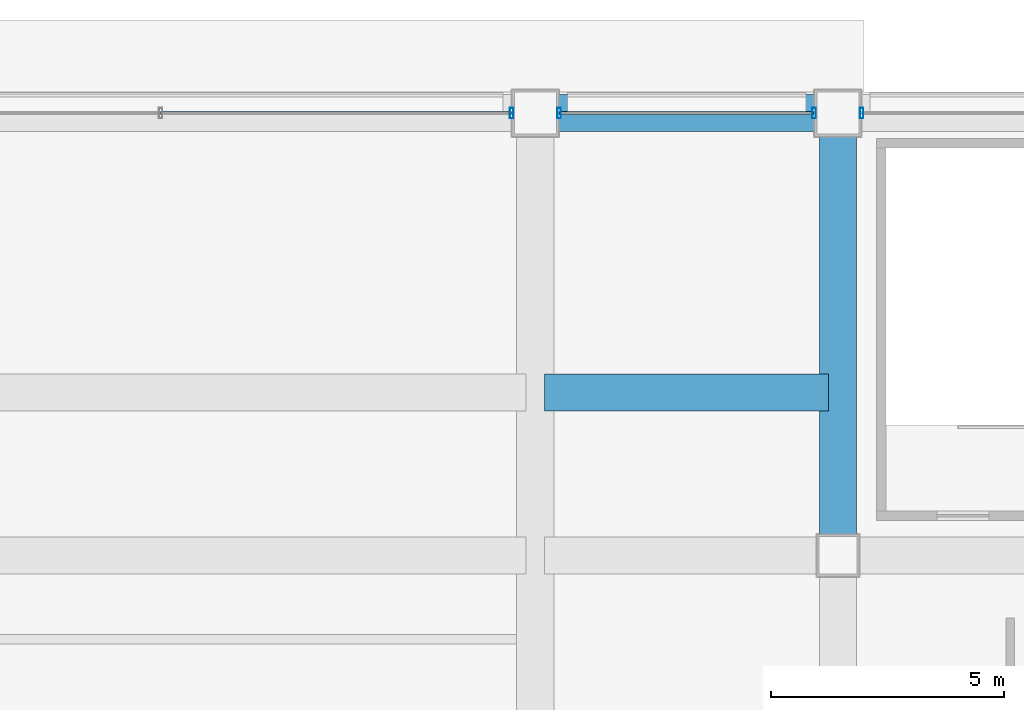
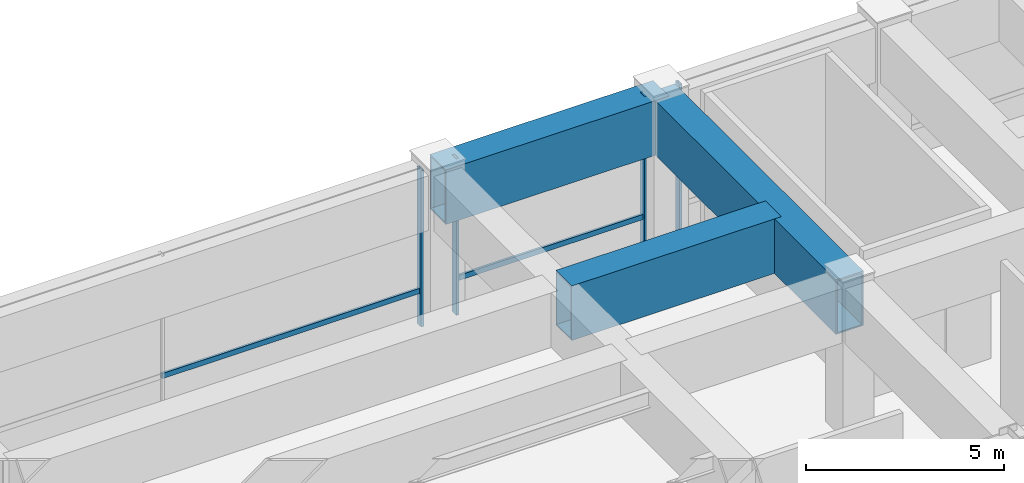
# One storey, part 22 of 30: 6 members, 3 beams, 3 elements without a shape of their own.
"""IFC4 building model written with IfcOpenShell, lengths in metres."""

from ifc_helpers import new_model, si_unit, direction, frame, origin, origin_2d, place, context, subcontext, project, spatial, hollow_rectangle, extrude, material, layer, layer_set, material_profile, profile_set, type_object, element, aggregate, save


model = new_model("IFC4")

# Units and contexts
model_context = context("Model", 3, precision=1e-05, world=origin(), true_north=direction((0.0, 1.0)))
body_context = subcontext(model_context, "Body", "Model", "MODEL_VIEW")
ifc_project = project(units=[si_unit("LENGTHUNIT", "METRE"), si_unit("AREAUNIT", "SQUARE_METRE"), si_unit("VOLUMEUNIT", "CUBIC_METRE"), si_unit("PLANEANGLEUNIT", "RADIAN"), si_unit("MASSUNIT", "GRAM", prefix="KILO")], contexts=[model_context])

# Site, building, storey
site_placement = place(None, origin())
site = spatial("IfcSite", under=ifc_project, at=site_placement, CompositionType="ELEMENT")
building_placement = place(site_placement, origin())
building = spatial("IfcBuilding", under=site, at=building_placement, Name="Brelmoor Portico Tower", CompositionType="ELEMENT")
storey_placement = place(building_placement, frame((0.0, 0.0, 19.199951171875)))
storey = spatial("IfcBuildingStorey", under=building, at=storey_placement, Name="L04", CompositionType="ELEMENT", Elevation=19.199951171875)

# Beams
ifc_material_1 = material(Name="Steel Q355B", Category="steel")
ifc_material_profile_1 = material_profile(ifc_material_1, hollow_rectangle(XDim=0.800048828125, YDim=1.679931640625, WallThickness=0.044921875, at=origin_2d()), Name="BOX 800x1680x45")
ifc_profile_set_1 = profile_set([ifc_material_profile_1], Name="Steel Q355B")
beam_type = type_object("IfcBeamType", Name="BM-TG-Z1", PredefinedType="BEAM", material=ifc_profile_set_1)
beam_1_placement = place(storey_placement, frame((8.050048828125, 27.550048828125, 3.760009765625), z_axis=(1.0, 0.0, 0.0), x_axis=(0.0, 1.0, 0.0)))
element("IfcBeam", 1, at=beam_1_placement, inside=storey, type_object=beam_type, Name="L04 Perimeter Transfer Beam SP-12", PredefinedType="BEAM", context=body_context, shape_type="SweptSolid", body=[
    extrude(hollow_rectangle(XDim=0.800048828125, YDim=1.679931640625, WallThickness=0.044921875, at=origin_2d()), origin(), (0.0, 0.0, 1.0), 6.5),
])
beam_2_placement = place(storey_placement, frame((14.550048828125, 18.050048828125, 3.760009765625), z_axis=(0.0, 1.0, 0.0), x_axis=(-1.0, 0.0, 0.0)))
element("IfcBeam", 2, at=beam_2_placement, inside=storey, type_object=beam_type, Name="L04 Setback Transfer Girder PG-18", PredefinedType="BEAM", context=body_context, shape_type="SweptSolid", body=[
    extrude(hollow_rectangle(XDim=0.800048828125, YDim=1.679931640625, WallThickness=0.044921875, at=origin_2d()), origin(), (0.0, 0.0, 1.0), 9.5),
])
beam_3_placement = place(storey_placement, frame((8.25, 21.550048828125, 3.760009765625), z_axis=(1.0, 0.0, 0.0), x_axis=(0.0, 1.0, 0.0)))
element("IfcBeam", 3, at=beam_3_placement, inside=storey, type_object=beam_type, Name="L04 Setback Transfer Girder TGN-11", PredefinedType="BEAM", context=body_context, shape_type="SweptSolid", body=[
    extrude(hollow_rectangle(XDim=0.800048828125, YDim=1.679931640625, WallThickness=0.044921875, at=origin_2d()), origin(), (0.0, 0.0, 1.0), 6.10009765625),
])

# Curtain wall, member
ifc_material_2 = material(Name="Anodised Aluminium Alloy 6063-T6", Category="aluminium")
ifc_layer = layer(ifc_material_2, 0.179931640625)
ifc_layer_set = layer_set([ifc_layer], Name="Anodised Aluminium Alloy 6063-T6")
curtain_wall_type = type_object("IfcCurtainWallType", Name="CW-PODIUM-ARCH", PredefinedType="NOTDEFINED", material=ifc_layer_set)
curtain_wall_1_placement = place(storey_placement, origin())
curtain_wall_1 = element("IfcCurtainWall", 4, at=curtain_wall_1_placement, inside=storey, type_object=curtain_wall_type, Name="L04 Curtain Wall CW-L04-02-4", PredefinedType="NOTDEFINED")
ifc_material_profile_2 = material_profile(ifc_material_2, hollow_rectangle(XDim=0.074951171875, YDim=0.219970703125, WallThickness=0.0048828125, at=origin_2d()), Name="ALU MULLION 75x220")
ifc_profile_set_2 = profile_set([ifc_material_profile_2], Name="Anodised Aluminium Alloy 6063-T6")
member_type_1 = type_object("IfcMemberType", Name="MB-CW-MULL-220", PredefinedType="MULLION", material=ifc_profile_set_2)
member_1_placement = place(storey_placement, frame((7.5400390625, 27.550048828125, -0.219970703125), z_axis=(0.0, 0.0, 1.0), x_axis=(1.0, 0.0, 0.0)))
member_1 = element("IfcMember", 5, at=member_1_placement, type_object=member_type_1, Name="CW-L04-02-4 Mullion 02", PredefinedType="MULLION", context=body_context, shape_type="SweptSolid", body=[
    extrude(hollow_rectangle(XDim=0.074951171875, YDim=0.219970703125, WallThickness=0.0048828125, at=origin_2d()), origin(), (0.0, 0.0, 1.0), 4.820068359375),
])

# Curtain wall, members
curtain_wall_2_placement = place(storey_placement, origin())
curtain_wall_2 = element("IfcCurtainWall", 6, at=curtain_wall_2_placement, inside=storey, type_object=curtain_wall_type, Name="L04 Curtain Wall CW-L04-02-5", PredefinedType="NOTDEFINED")
member_2_placement = place(storey_placement, frame((8.56005859375, 27.550048828125, -0.219970703125), z_axis=(0.0, 0.0, 1.0), x_axis=(1.0, 0.0, 0.0)))
member_2 = element("IfcMember", 7, at=member_2_placement, type_object=member_type_1, Name="CW-L04-02-5 Mullion 00", PredefinedType="MULLION", context=body_context, shape_type="SweptSolid", body=[
    extrude(hollow_rectangle(XDim=0.074951171875, YDim=0.219970703125, WallThickness=0.0048828125, at=origin_2d()), origin(), (0.0, 0.0, 1.0), 4.820068359375),
])
member_3_placement = place(storey_placement, frame((14.0400390625, 27.550048828125, -0.219970703125), z_axis=(0.0, 0.0, 1.0), x_axis=(1.0, 0.0, 0.0)))
member_3 = element("IfcMember", 8, at=member_3_placement, type_object=member_type_1, Name="CW-L04-02-5 Mullion 01", PredefinedType="MULLION", context=body_context, shape_type="SweptSolid", body=[
    extrude(hollow_rectangle(XDim=0.074951171875, YDim=0.219970703125, WallThickness=0.0048828125, at=origin_2d()), origin(), (0.0, 0.0, 1.0), 4.820068359375),
])

# Curtain wall, member
curtain_wall_3_placement = place(storey_placement, origin())
curtain_wall_3 = element("IfcCurtainWall", 9, at=curtain_wall_3_placement, inside=storey, type_object=curtain_wall_type, Name="L04 Curtain Wall CW-L04-02-6", PredefinedType="NOTDEFINED")
member_4_placement = place(storey_placement, frame((15.06005859375, 27.550048828125, -0.219970703125), z_axis=(0.0, 0.0, 1.0), x_axis=(1.0, 0.0, 0.0)))
member_4 = element("IfcMember", 10, at=member_4_placement, type_object=member_type_1, Name="CW-L04-02-6 Mullion 00", PredefinedType="MULLION", context=body_context, shape_type="SweptSolid", body=[
    extrude(hollow_rectangle(XDim=0.074951171875, YDim=0.219970703125, WallThickness=0.0048828125, at=origin_2d()), origin(), (0.0, 0.0, 1.0), 4.820068359375),
])
aggregate(curtain_wall_3, [member_4])

# Member
ifc_material_profile_3 = material_profile(ifc_material_2, hollow_rectangle(XDim=0.070068359375, YDim=0.159912109375, WallThickness=0.00390625, at=origin_2d()), Name="ALU TRANSOM 70x160")
ifc_profile_set_3 = profile_set([ifc_material_profile_3], Name="Anodised Aluminium Alloy 6063-T6")
member_type_2 = type_object("IfcMemberType", Name="MB-CW-TRAN-160", PredefinedType="USERDEFINED", material=ifc_profile_set_3)
member_5_placement = place(storey_placement, frame((0.0, 27.550048828125, 0.85009765625), z_axis=(1.0, 0.0, 0.0), x_axis=(0.0, 1.0, 0.0)))
member_5 = element("IfcMember", 11, at=member_5_placement, type_object=member_type_2, Name="CW-L04-02-4 Transom 1-01", ObjectType="TRANSOM", PredefinedType="USERDEFINED", context=body_context, shape_type="SweptSolid", body=[
    extrude(hollow_rectangle(XDim=0.070068359375, YDim=0.159912109375, WallThickness=0.00390625, at=origin_2d()), origin(), (0.0, 0.0, 1.0), 7.5400390625),
])

aggregate(curtain_wall_1, [member_1, member_5])

member_6_placement = place(storey_placement, frame((8.56005859375, 27.550048828125, 0.85009765625), z_axis=(1.0, 0.0, 0.0), x_axis=(0.0, 1.0, 0.0)))
member_6 = element("IfcMember", 12, at=member_6_placement, type_object=member_type_2, Name="CW-L04-02-5 Transom 1-00", ObjectType="TRANSOM", PredefinedType="USERDEFINED", context=body_context, shape_type="SweptSolid", body=[
    extrude(hollow_rectangle(XDim=0.070068359375, YDim=0.159912109375, WallThickness=0.00390625, at=origin_2d()), origin(), (0.0, 0.0, 1.0), 5.47998046875),
])

aggregate(curtain_wall_2, [member_2, member_3, member_6])

save(model, "model.ifc")
